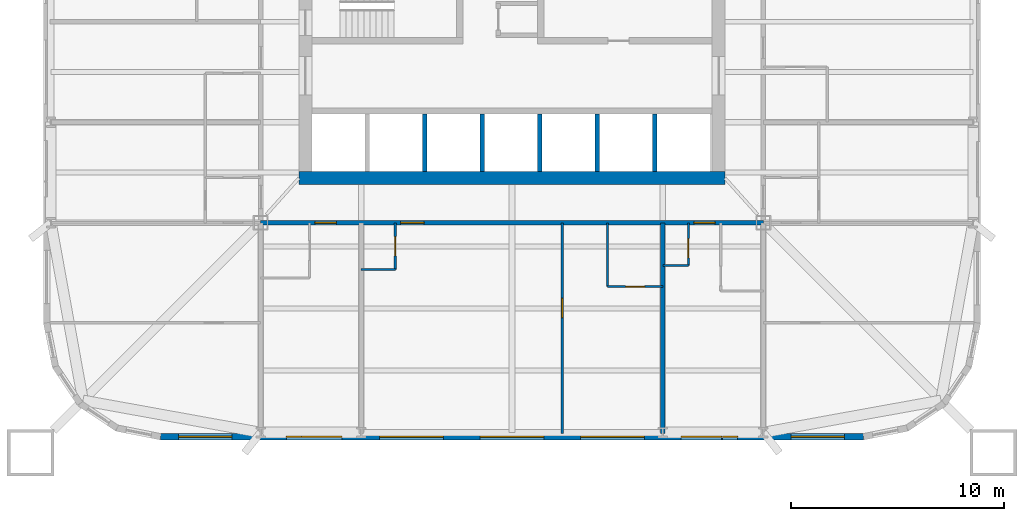
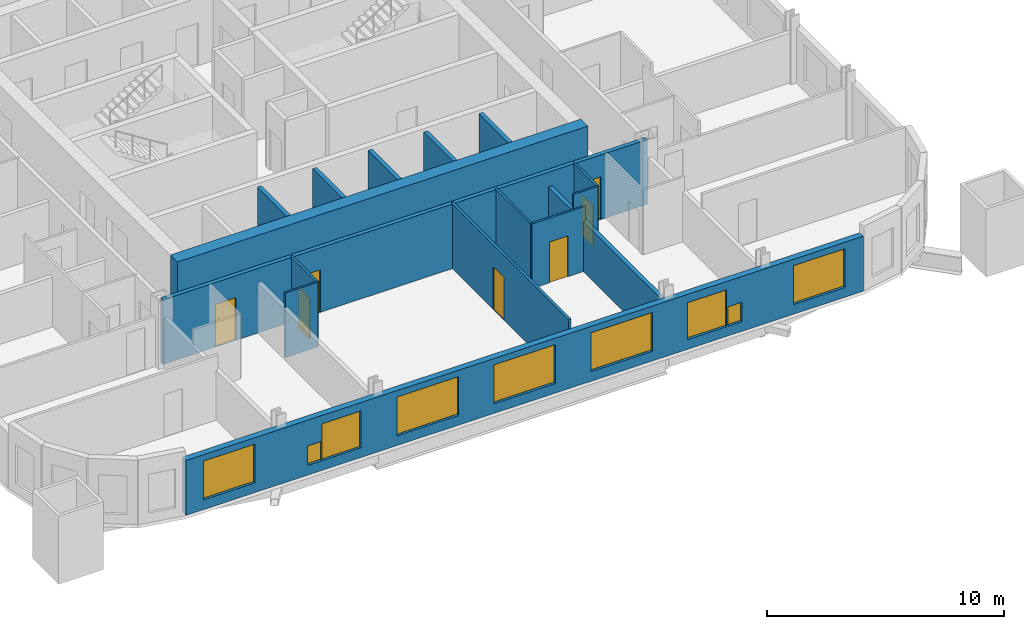
# One storey, part 3 of 10: 16 walls, 9 windows, 7 doors, 16 openings.
"""IFC4 building model written with IfcOpenShell, lengths in metres."""

from ifc_helpers import new_model, si_unit, direction, frame, frame_2d, origin, place, context, subcontext, project, spatial, rectangle, extrude, material, layer, layer_set, type_object, element, fill, save


model = new_model("IFC4")

# Units and contexts
model_context = context("Model", 3, precision=1e-05, world=origin(), true_north=direction((0.0, 1.0)))
body_context = subcontext(model_context, "Body", "Model", "MODEL_VIEW")
ifc_project = project(units=[si_unit("LENGTHUNIT", "METRE"), si_unit("AREAUNIT", "SQUARE_METRE"), si_unit("VOLUMEUNIT", "CUBIC_METRE"), si_unit("PLANEANGLEUNIT", "RADIAN"), si_unit("MASSUNIT", "GRAM", prefix="KILO")], contexts=[model_context])

# Site, building, storey
site_placement = place(None, origin())
site = spatial("IfcSite", under=ifc_project, at=site_placement, CompositionType="ELEMENT")
building_placement = place(site_placement, origin())
building = spatial("IfcBuilding", under=site, at=building_placement, Name="Turquesa Mirador Hotel Tower", CompositionType="ELEMENT")
storey_placement = place(building_placement, frame((0.0, 0.0, 39.0)))
storey = spatial("IfcBuildingStorey", under=building, at=storey_placement, Name="L09", CompositionType="ELEMENT", Elevation=39.0)

# Walls
ifc_material_1 = material(Name="Gypsum board on steel studs", Category="steel")
ifc_layer_1 = layer(ifc_material_1, 0.10009765625)
ifc_layer_set_1 = layer_set([ifc_layer_1], Name="BATHROOM WALL 100")
wall_type_1 = type_object("IfcWallType", Name="BATHROOM WALL 100", PredefinedType="PARTITIONING", material=ifc_layer_set_1)
wall_1_placement = place(storey_placement, frame((62.080078125, 31.199951171875, 0.0), z_axis=(0.0, 0.0, 1.0), x_axis=(1.0, 0.0, 0.0)))
element("IfcWall", 1, at=wall_1_placement, inside=storey, type_object=wall_type_1, Name="Partition L09 004", PredefinedType="PARTITIONING", context=body_context, shape_type="SweptSolid", body=[
    extrude(rectangle(XDim=1.199951171875, YDim=0.10009765625, at=frame_2d((0.60009765625, 0.0))), origin(), (0.0, 0.0, 1.0), 3.330078125),
])
wall_2_placement = place(storey_placement, frame((47.919921875, 31.0, 0.0), z_axis=(0.0, 0.0, 1.0), x_axis=(1.0, 0.0, 0.0)))
element("IfcWall", 2, at=wall_2_placement, inside=storey, type_object=wall_type_1, Name="Partition L09 005", PredefinedType="PARTITIONING", context=body_context, shape_type="SweptSolid", body=[
    extrude(rectangle(XDim=1.60009765625, YDim=0.10009765625, at=frame_2d((0.800048828125, 0.0))), origin(), (0.0, 0.0, 1.0), 3.330078125),
])

# Wall, opening, door
wall_3_placement = place(storey_placement, frame((59.47998046875, 30.199951171875, 0.0), z_axis=(0.0, 0.0, 1.0), x_axis=(1.0, 0.0, 0.0)))
wall_3 = element("IfcWall", 3, at=wall_3_placement, inside=storey, type_object=wall_type_1, Name="Partition L09 007", PredefinedType="PARTITIONING", context=body_context, shape_type="SweptSolid", body=[
    extrude(rectangle(XDim=2.60009765625, YDim=0.10009765625, at=frame_2d((1.300048828125, 0.0))), origin(), (0.0, 0.0, 1.0), 3.330078125),
])
opening_1_placement = place(wall_3_placement, frame((0.85009765625, 0.0, 0.0)))
opening_1 = element("IfcOpeningElement", 4, at=opening_1_placement, cuts=wall_3, Name="Opening D02", PredefinedType="OPENING", context=body_context, shape_type="SweptSolid", body=[
    extrude(rectangle(XDim=0.89990234375, YDim=2.10009765625, at=frame_2d((0.449951171875, 1.050048828125))), frame((0.0, 0.06005859375, 0.0), z_axis=(0.0, -1.0, 0.0), x_axis=(1.0, 0.0, 0.0)), (0.0, 0.0, 1.0), 0.1201171875),
])
ifc_material_2 = material(Name="Timber veneered door", Category="wood")
door_type_1 = type_object("IfcDoorType", Name="DOOR 900X2100 EN-SUITE", OperationType="SINGLE_SWING_RIGHT", PredefinedType="DOOR", material=ifc_material_2)
door_1_placement = place(opening_1_placement, origin())
door_1 = element("IfcDoor", 5, at=door_1_placement, inside=storey, type_object=door_type_1, Name="Door 0904B", OperationType="SINGLE_SWING_RIGHT", OverallHeight=2.10009765625, OverallWidth=0.89990234375, PredefinedType="DOOR", context=body_context, shape_type="SweptSolid", body=[
    extrude(rectangle(XDim=0.89990234375, YDim=2.10009765625, at=frame_2d((0.449951171875, 1.050048828125))), frame((0.0, 0.02490234375, 0.0), z_axis=(0.0, -1.0, 0.0), x_axis=(1.0, 0.0, 0.0)), (0.0, 0.0, 1.0), 0.050048828125),
])
fill(opening_1, door_1)

wall_4_placement = place(storey_placement, frame((49.52001953125, 31.0, 0.0), z_axis=(0.0, 0.0, 1.0), x_axis=(0.0, 1.0, 0.0)))
wall_4 = element("IfcWall", 6, at=wall_4_placement, inside=storey, type_object=wall_type_1, Name="Partition L09 048", PredefinedType="PARTITIONING", context=body_context, shape_type="SweptSolid", body=[
    extrude(rectangle(XDim=2.199951171875, YDim=0.10009765625, at=frame_2d((1.10009765625, 0.0))), origin(), (0.0, 0.0, 1.0), 3.330078125),
])
opening_2_placement = place(wall_4_placement, frame((0.64990234375, 0.0, 0.0)))
opening_2 = element("IfcOpeningElement", 7, at=opening_2_placement, cuts=wall_4, Name="Opening D06", PredefinedType="OPENING", context=body_context, shape_type="SweptSolid", body=[
    extrude(rectangle(XDim=0.89990234375, YDim=2.10009765625, at=frame_2d((0.449951171875, 1.050048828125))), frame((0.0, 0.06005859375, 0.0), z_axis=(0.0, -1.0, 0.0), x_axis=(1.0, 0.0, 0.0)), (0.0, 0.0, 1.0), 0.1201171875),
])
ifc_material_3 = material(Name="Laminate door", Category="wood")
door_type_2 = type_object("IfcDoorType", Name="DOOR 900X2100 WC", OperationType="SINGLE_SWING_LEFT", PredefinedType="DOOR", material=ifc_material_3)
door_2_placement = place(opening_2_placement, origin())
door_2 = element("IfcDoor", 8, at=door_2_placement, inside=storey, type_object=door_type_2, Name="Door 0904W", OperationType="SINGLE_SWING_LEFT", OverallHeight=2.10009765625, OverallWidth=0.89990234375, PredefinedType="DOOR", context=body_context, shape_type="SweptSolid", body=[
    extrude(rectangle(XDim=0.89990234375, YDim=2.10009765625, at=frame_2d((0.449951171875, 1.050048828125))), frame((0.0, 0.02490234375, 0.0), z_axis=(0.0, -1.0, 0.0), x_axis=(1.0, 0.0, 0.0)), (0.0, 0.0, 1.0), 0.050048828125),
])
fill(opening_2, door_2)

# Wall
wall_5_placement = place(storey_placement, frame((59.47998046875, 30.199951171875, 0.0), z_axis=(0.0, 0.0, 1.0), x_axis=(0.0, 1.0, 0.0)))
element("IfcWall", 9, at=wall_5_placement, inside=storey, type_object=wall_type_1, Name="Partition L09 063", PredefinedType="PARTITIONING", context=body_context, shape_type="SweptSolid", body=[
    extrude(rectangle(XDim=3.0, YDim=0.10009765625, at=frame_2d((1.5, 0.0))), origin(), (0.0, 0.0, 1.0), 3.330078125),
])

# Wall, opening, door
wall_6_placement = place(storey_placement, frame((63.280029296875, 31.199951171875, 0.0), z_axis=(0.0, 0.0, 1.0), x_axis=(0.0, 1.0, 0.0)))
wall_6 = element("IfcWall", 10, at=wall_6_placement, inside=storey, type_object=wall_type_1, Name="Partition L09 066", PredefinedType="PARTITIONING", context=body_context, shape_type="SweptSolid", body=[
    extrude(rectangle(XDim=2.0, YDim=0.10009765625, at=frame_2d((1.0, 0.0))), origin(), (0.0, 0.0, 1.0), 3.330078125),
])
opening_3_placement = place(wall_6_placement, frame((0.35009765625, 0.0, 0.0)))
opening_3 = element("IfcOpeningElement", 11, at=opening_3_placement, cuts=wall_6, Name="Opening D06", PredefinedType="OPENING", context=body_context, shape_type="SweptSolid", body=[
    extrude(rectangle(XDim=0.89990234375, YDim=2.10009765625, at=frame_2d((0.449951171875, 1.050048828125))), frame((0.0, 0.06005859375, 0.0), z_axis=(0.0, -1.0, 0.0), x_axis=(1.0, 0.0, 0.0)), (0.0, 0.0, 1.0), 0.1201171875),
])
door_3_placement = place(opening_3_placement, origin())
door_3 = element("IfcDoor", 12, at=door_3_placement, inside=storey, type_object=door_type_2, Name="Door 0905W", OperationType="SINGLE_SWING_LEFT", OverallHeight=2.10009765625, OverallWidth=0.89990234375, PredefinedType="DOOR", context=body_context, shape_type="SweptSolid", body=[
    extrude(rectangle(XDim=0.89990234375, YDim=2.10009765625, at=frame_2d((0.449951171875, 1.050048828125))), frame((0.0, 0.02490234375, 0.0), z_axis=(0.0, -1.0, 0.0), x_axis=(1.0, 0.0, 0.0)), (0.0, 0.0, 1.0), 0.050048828125),
])
fill(opening_3, door_3)

# Wall
ifc_material_4 = material(Name="Concrete C50/60", Category="concrete")
ifc_layer_2 = layer(ifc_material_4, 0.60009765625)
ifc_layer_set_2 = layer_set([ifc_layer_2], Name="CORE WALL 600")
wall_type_2 = type_object("IfcWallType", Name="CORE WALL 600", PredefinedType="SHEAR", material=ifc_layer_set_2)
wall_7_placement = place(storey_placement, frame((45.0, 35.300048828125, 0.0), z_axis=(0.0, 0.0, 1.0), x_axis=(1.0, 0.0, 0.0)))
element("IfcWall", 13, at=wall_7_placement, inside=storey, type_object=wall_type_2, Name="Core wall S", PredefinedType="SHEAR", context=body_context, shape_type="SweptSolid", body=[
    extrude(rectangle(XDim=20.0, YDim=0.60009765625, at=frame_2d((10.0, 0.0))), origin(), (0.0, 0.0, 1.0), 3.5),
])

# Wall, openings, doors
ifc_material_5 = material(Name="Fire-rated gypsum board on steel studs", Category="steel")
ifc_layer_3 = layer(ifc_material_5, 0.199951171875)
ifc_layer_set_3 = layer_set([ifc_layer_3], Name="CORRIDOR WALL 200")
wall_type_3 = type_object("IfcWallType", Name="CORRIDOR WALL 200", PredefinedType="PARTITIONING", material=ifc_layer_set_3)
wall_8_placement = place(storey_placement, frame((43.199951171875, 33.199951171875, 0.0), z_axis=(0.0, 0.0, 1.0), x_axis=(1.0, 0.0, 0.0)))
wall_8 = element("IfcWall", 14, at=wall_8_placement, inside=storey, type_object=wall_type_3, Name="Partition L09 001", PredefinedType="PARTITIONING", context=body_context, shape_type="SweptSolid", body=[
    extrude(rectangle(XDim=23.60009765625, YDim=0.199951171875, at=frame_2d((11.800048828125, 0.0))), origin(), (0.0, 0.0, 1.0), 3.330078125),
])
opening_4_placement = place(wall_8_placement, frame((2.550048828125, 0.0, 0.0)))
opening_4 = element("IfcOpeningElement", 15, at=opening_4_placement, cuts=wall_8, Name="Opening D01", PredefinedType="OPENING", context=body_context, shape_type="SweptSolid", body=[
    extrude(rectangle(XDim=1.0, YDim=2.199951171875, at=frame_2d((0.5, 1.10009765625))), frame((0.0, 0.10986328125, 0.0), z_axis=(0.0, -1.0, 0.0), x_axis=(1.0, 0.0, 0.0)), (0.0, 0.0, 1.0), 0.219970703125),
])
opening_5_placement = place(wall_8_placement, frame((6.570068359375, 0.0, 0.0)))
opening_5 = element("IfcOpeningElement", 16, at=opening_5_placement, cuts=wall_8, Name="Opening D15", PredefinedType="OPENING", context=body_context, shape_type="SweptSolid", body=[
    extrude(rectangle(XDim=1.10009765625, YDim=2.199951171875, at=frame_2d((0.550048828125, 1.10009765625))), frame((0.0, 0.10986328125, 0.0), z_axis=(0.0, -1.0, 0.0), x_axis=(1.0, 0.0, 0.0)), (0.0, 0.0, 1.0), 0.219970703125),
])
opening_6_placement = place(wall_8_placement, frame((20.340087890625, 0.0, 0.0)))
opening_6 = element("IfcOpeningElement", 17, at=opening_6_placement, cuts=wall_8, Name="Opening D01", PredefinedType="OPENING", context=body_context, shape_type="SweptSolid", body=[
    extrude(rectangle(XDim=1.0, YDim=2.199951171875, at=frame_2d((0.5, 1.10009765625))), frame((0.0, 0.10986328125, 0.0), z_axis=(0.0, -1.0, 0.0), x_axis=(1.0, 0.0, 0.0)), (0.0, 0.0, 1.0), 0.219970703125),
])
ifc_material_6 = material(Name="Timber veneered fire door", Category="wood")
door_type_3 = type_object("IfcDoorType", Name="DOOR 1000X2200 GUEST ENTRY", OperationType="SINGLE_SWING_LEFT", PredefinedType="DOOR", material=ifc_material_6)
door_4_placement = place(opening_4_placement, origin())
door_4 = element("IfcDoor", 18, at=door_4_placement, inside=storey, type_object=door_type_3, Name="Door 0903", OperationType="SINGLE_SWING_LEFT", OverallHeight=2.199951171875, OverallWidth=1.0, PredefinedType="DOOR", context=body_context, shape_type="SweptSolid", body=[
    extrude(rectangle(XDim=1.0, YDim=2.199951171875, at=frame_2d((0.5, 1.10009765625))), frame((0.0, 0.02490234375, 0.0), z_axis=(0.0, -1.0, 0.0), x_axis=(1.0, 0.0, 0.0)), (0.0, 0.0, 1.0), 0.050048828125),
])
fill(opening_4, door_4)
door_5_placement = place(opening_6_placement, origin())
door_5 = element("IfcDoor", 19, at=door_5_placement, inside=storey, type_object=door_type_3, Name="Door 0905", OperationType="SINGLE_SWING_LEFT", OverallHeight=2.199951171875, OverallWidth=1.0, PredefinedType="DOOR", context=body_context, shape_type="SweptSolid", body=[
    extrude(rectangle(XDim=1.0, YDim=2.199951171875, at=frame_2d((0.5, 1.10009765625))), frame((0.0, 0.02490234375, 0.0), z_axis=(0.0, -1.0, 0.0), x_axis=(1.0, 0.0, 0.0)), (0.0, 0.0, 1.0), 0.050048828125),
])
fill(opening_6, door_5)
ifc_material_7 = material(Name="Timber veneered fire door", Category="wood")
door_type_4 = type_object("IfcDoorType", Name="DOOR 1100X2200 SUITE ENTRY", OperationType="SINGLE_SWING_LEFT", PredefinedType="DOOR", material=ifc_material_7)
door_6_placement = place(opening_5_placement, origin())
door_6 = element("IfcDoor", 20, at=door_6_placement, inside=storey, type_object=door_type_4, Name="Door 0904", OperationType="SINGLE_SWING_LEFT", OverallHeight=2.199951171875, OverallWidth=1.10009765625, PredefinedType="DOOR", context=body_context, shape_type="SweptSolid", body=[
    extrude(rectangle(XDim=1.10009765625, YDim=2.199951171875, at=frame_2d((0.550048828125, 1.10009765625))), frame((0.0, 0.02490234375, 0.0), z_axis=(0.0, -1.0, 0.0), x_axis=(1.0, 0.0, 0.0)), (0.0, 0.0, 1.0), 0.050048828125),
])
fill(opening_5, door_6)

# Wall, openings, windows
ifc_material_8 = material(Name="Limestone cladding on concrete block", Category="masonry")
ifc_layer_4 = layer(ifc_material_8, 0.300048828125)
ifc_layer_set_4 = layer_set([ifc_layer_4], Name="FACADE WALL 300 STONE SCREEN")
wall_type_4 = type_object("IfcWallType", Name="FACADE WALL 300 STONE SCREEN", PredefinedType="SOLIDWALL", material=ifc_layer_set_4)
wall_9_placement = place(storey_placement, frame((38.5, 23.14990234375, 0.0), z_axis=(0.0, 0.0, 1.0), x_axis=(1.0, 0.0, 0.0)))
wall_9 = element("IfcWall", 21, at=wall_9_placement, inside=storey, type_object=wall_type_4, Name="Facade wall L09 19", PredefinedType="SOLIDWALL", context=body_context, shape_type="SweptSolid", body=[
    extrude(rectangle(XDim=33.0, YDim=0.300048828125, at=frame_2d((16.5, 0.0))), origin(), (0.0, 0.0, 1.0), 2.830078125),
])
opening_7_placement = place(wall_9_placement, frame((0.85009765625, 0.0, 0.5)))
opening_7 = element("IfcOpeningElement", 22, at=opening_7_placement, cuts=wall_9, Name="Opening WN52", PredefinedType="OPENING", context=body_context, shape_type="SweptSolid", body=[
    extrude(rectangle(XDim=2.5, YDim=2.0, at=frame_2d((1.25, 1.0))), frame((0.0, 0.159912109375, 0.0), z_axis=(0.0, -1.0, 0.0), x_axis=(1.0, 0.0, 0.0)), (0.0, 0.0, 1.0), 0.320068359375),
])
opening_8_placement = place(wall_9_placement, frame((6.610107421875, 0.0, 0.5)))
opening_8 = element("IfcOpeningElement", 23, at=opening_8_placement, cuts=wall_9, Name="Opening WN48", PredefinedType="OPENING", context=body_context, shape_type="SweptSolid", body=[
    extrude(rectangle(XDim=1.89990234375, YDim=1.89990234375, at=frame_2d((0.949951171875, 0.949951171875))), frame((0.0, 0.159912109375, 0.0), z_axis=(0.0, -1.0, 0.0), x_axis=(1.0, 0.0, 0.0)), (0.0, 0.0, 1.0), 0.320068359375),
])
opening_9_placement = place(wall_9_placement, frame((10.280029296875, 0.0, 0.5)))
opening_9 = element("IfcOpeningElement", 24, at=opening_9_placement, cuts=wall_9, Name="Opening WN1", PredefinedType="OPENING", context=body_context, shape_type="SweptSolid", body=[
    extrude(rectangle(XDim=3.0, YDim=2.0, at=frame_2d((1.5, 1.0))), frame((0.0, 0.159912109375, 0.0), z_axis=(0.0, -1.0, 0.0), x_axis=(1.0, 0.0, 0.0)), (0.0, 0.0, 1.0), 0.320068359375),
])
opening_10_placement = place(wall_9_placement, frame((15.0, 0.0, 0.5)))
opening_10 = element("IfcOpeningElement", 25, at=opening_10_placement, cuts=wall_9, Name="Opening WN1", PredefinedType="OPENING", context=body_context, shape_type="SweptSolid", body=[
    extrude(rectangle(XDim=3.0, YDim=2.0, at=frame_2d((1.5, 1.0))), frame((0.0, 0.159912109375, 0.0), z_axis=(0.0, -1.0, 0.0), x_axis=(1.0, 0.0, 0.0)), (0.0, 0.0, 1.0), 0.320068359375),
])
opening_11_placement = place(wall_9_placement, frame((19.719970703125, 0.0, 0.5)))
opening_11 = element("IfcOpeningElement", 26, at=opening_11_placement, cuts=wall_9, Name="Opening WN1", PredefinedType="OPENING", context=body_context, shape_type="SweptSolid", body=[
    extrude(rectangle(XDim=3.0, YDim=2.0, at=frame_2d((1.5, 1.0))), frame((0.0, 0.159912109375, 0.0), z_axis=(0.0, -1.0, 0.0), x_axis=(1.0, 0.0, 0.0)), (0.0, 0.0, 1.0), 0.320068359375),
])
opening_12_placement = place(wall_9_placement, frame((24.43994140625, 0.0, 0.5)))
opening_12 = element("IfcOpeningElement", 27, at=opening_12_placement, cuts=wall_9, Name="Opening WN48", PredefinedType="OPENING", context=body_context, shape_type="SweptSolid", body=[
    extrude(rectangle(XDim=1.89990234375, YDim=1.89990234375, at=frame_2d((0.949951171875, 0.949951171875))), frame((0.0, 0.159912109375, 0.0), z_axis=(0.0, -1.0, 0.0), x_axis=(1.0, 0.0, 0.0)), (0.0, 0.0, 1.0), 0.320068359375),
])
opening_13_placement = place(wall_9_placement, frame((29.60009765625, 0.0, 0.5)))
opening_13 = element("IfcOpeningElement", 28, at=opening_13_placement, cuts=wall_9, Name="Opening WN52", PredefinedType="OPENING", context=body_context, shape_type="SweptSolid", body=[
    extrude(rectangle(XDim=2.5, YDim=2.0, at=frame_2d((1.25, 1.0))), frame((0.0, 0.159912109375, 0.0), z_axis=(0.0, -1.0, 0.0), x_axis=(1.0, 0.0, 0.0)), (0.0, 0.0, 1.0), 0.320068359375),
])
opening_14_placement = place(wall_9_placement, frame((5.909912109375, 0.0, 0.5)))
opening_14 = element("IfcOpeningElement", 29, at=opening_14_placement, cuts=wall_9, Name="Opening WN32", PredefinedType="OPENING", context=body_context, shape_type="SweptSolid", body=[
    extrude(rectangle(XDim=0.699951171875, YDim=1.0, at=frame_2d((0.35009765625, 0.5))), frame((0.0, 0.159912109375, 0.0), z_axis=(0.0, -1.0, 0.0), x_axis=(1.0, 0.0, 0.0)), (0.0, 0.0, 1.0), 0.320068359375),
])
opening_15_placement = place(wall_9_placement, frame((26.389892578125, 0.0, 0.5)))
opening_15 = element("IfcOpeningElement", 30, at=opening_15_placement, cuts=wall_9, Name="Opening WN32", PredefinedType="OPENING", context=body_context, shape_type="SweptSolid", body=[
    extrude(rectangle(XDim=0.699951171875, YDim=1.0, at=frame_2d((0.35009765625, 0.5))), frame((0.0, 0.159912109375, 0.0), z_axis=(0.0, -1.0, 0.0), x_axis=(1.0, 0.0, 0.0)), (0.0, 0.0, 1.0), 0.320068359375),
])
ifc_material_9 = material(Name="Ceramic-fritted laminated glass", Category="glass")
window_type_1 = type_object("IfcWindowType", Name="FRITTED WINDOW 1900X1900", PartitioningType="DOUBLE_PANEL_HORIZONTAL", PredefinedType="WINDOW", material=ifc_material_9)
window_1_placement = place(opening_8_placement, origin())
window_1 = element("IfcWindow", 31, at=window_1_placement, inside=storey, type_object=window_type_1, Name="Window L09", OverallHeight=1.89990234375, OverallWidth=1.89990234375, PartitioningType="SINGLE_PANEL", PredefinedType="WINDOW", context=body_context, shape_type="SweptSolid", body=[
    extrude(rectangle(XDim=1.89990234375, YDim=1.89990234375, at=frame_2d((0.949951171875, 0.949951171875))), frame((0.0, 0.030029296875, 0.0), z_axis=(0.0, -1.0, 0.0), x_axis=(1.0, 0.0, 0.0)), (0.0, 0.0, 1.0), 0.06005859375),
])
fill(opening_8, window_1)
window_2_placement = place(opening_12_placement, origin())
window_2 = element("IfcWindow", 32, at=window_2_placement, inside=storey, type_object=window_type_1, Name="Window L09", OverallHeight=1.89990234375, OverallWidth=1.89990234375, PartitioningType="SINGLE_PANEL", PredefinedType="WINDOW", context=body_context, shape_type="SweptSolid", body=[
    extrude(rectangle(XDim=1.89990234375, YDim=1.89990234375, at=frame_2d((0.949951171875, 0.949951171875))), frame((0.0, 0.030029296875, 0.0), z_axis=(0.0, -1.0, 0.0), x_axis=(1.0, 0.0, 0.0)), (0.0, 0.0, 1.0), 0.06005859375),
])
fill(opening_12, window_2)
ifc_material_10 = material(Name="Ceramic-fritted laminated glass", Category="glass")
window_type_2 = type_object("IfcWindowType", Name="FRITTED WINDOW 2500X2000", PartitioningType="DOUBLE_PANEL_HORIZONTAL", PredefinedType="WINDOW", material=ifc_material_10)
window_3_placement = place(opening_7_placement, origin())
window_3 = element("IfcWindow", 33, at=window_3_placement, inside=storey, type_object=window_type_2, Name="Window L09", OverallHeight=2.0, OverallWidth=2.5, PartitioningType="SINGLE_PANEL", PredefinedType="WINDOW", context=body_context, shape_type="SweptSolid", body=[
    extrude(rectangle(XDim=2.5, YDim=2.0, at=frame_2d((1.25, 1.0))), frame((0.0, 0.030029296875, 0.0), z_axis=(0.0, -1.0, 0.0), x_axis=(1.0, 0.0, 0.0)), (0.0, 0.0, 1.0), 0.06005859375),
])
fill(opening_7, window_3)
window_4_placement = place(opening_13_placement, origin())
window_4 = element("IfcWindow", 34, at=window_4_placement, inside=storey, type_object=window_type_2, Name="Window L09", OverallHeight=2.0, OverallWidth=2.5, PartitioningType="SINGLE_PANEL", PredefinedType="WINDOW", context=body_context, shape_type="SweptSolid", body=[
    extrude(rectangle(XDim=2.5, YDim=2.0, at=frame_2d((1.25, 1.0))), frame((0.0, 0.030029296875, 0.0), z_axis=(0.0, -1.0, 0.0), x_axis=(1.0, 0.0, 0.0)), (0.0, 0.0, 1.0), 0.06005859375),
])
fill(opening_13, window_4)
ifc_material_11 = material(Name="Ceramic-fritted laminated glass", Category="glass")
window_type_3 = type_object("IfcWindowType", Name="FRITTED WINDOW 3000X2000", PartitioningType="DOUBLE_PANEL_HORIZONTAL", PredefinedType="WINDOW", material=ifc_material_11)
window_5_placement = place(opening_9_placement, origin())
window_5 = element("IfcWindow", 35, at=window_5_placement, inside=storey, type_object=window_type_3, Name="Window L09", OverallHeight=2.0, OverallWidth=3.0, PartitioningType="SINGLE_PANEL", PredefinedType="WINDOW", context=body_context, shape_type="SweptSolid", body=[
    extrude(rectangle(XDim=3.0, YDim=2.0, at=frame_2d((1.5, 1.0))), frame((0.0, 0.030029296875, 0.0), z_axis=(0.0, -1.0, 0.0), x_axis=(1.0, 0.0, 0.0)), (0.0, 0.0, 1.0), 0.06005859375),
])
fill(opening_9, window_5)
window_6_placement = place(opening_10_placement, origin())
window_6 = element("IfcWindow", 36, at=window_6_placement, inside=storey, type_object=window_type_3, Name="Window L09", OverallHeight=2.0, OverallWidth=3.0, PartitioningType="SINGLE_PANEL", PredefinedType="WINDOW", context=body_context, shape_type="SweptSolid", body=[
    extrude(rectangle(XDim=3.0, YDim=2.0, at=frame_2d((1.5, 1.0))), frame((0.0, 0.030029296875, 0.0), z_axis=(0.0, -1.0, 0.0), x_axis=(1.0, 0.0, 0.0)), (0.0, 0.0, 1.0), 0.06005859375),
])
fill(opening_10, window_6)
window_7_placement = place(opening_11_placement, origin())
window_7 = element("IfcWindow", 37, at=window_7_placement, inside=storey, type_object=window_type_3, Name="Window L09", OverallHeight=2.0, OverallWidth=3.0, PartitioningType="SINGLE_PANEL", PredefinedType="WINDOW", context=body_context, shape_type="SweptSolid", body=[
    extrude(rectangle(XDim=3.0, YDim=2.0, at=frame_2d((1.5, 1.0))), frame((0.0, 0.030029296875, 0.0), z_axis=(0.0, -1.0, 0.0), x_axis=(1.0, 0.0, 0.0)), (0.0, 0.0, 1.0), 0.06005859375),
])
fill(opening_11, window_7)
ifc_material_12 = material(Name="Ceramic-fritted laminated glass", Category="glass")
window_type_4 = type_object("IfcWindowType", Name="FRITTED WINDOW 700X1000", PartitioningType="DOUBLE_PANEL_HORIZONTAL", PredefinedType="WINDOW", material=ifc_material_12)
window_8_placement = place(opening_14_placement, origin())
window_8 = element("IfcWindow", 38, at=window_8_placement, inside=storey, type_object=window_type_4, Name="Window L09", OverallHeight=1.0, OverallWidth=0.699951171875, PartitioningType="SINGLE_PANEL", PredefinedType="WINDOW", context=body_context, shape_type="SweptSolid", body=[
    extrude(rectangle(XDim=0.699951171875, YDim=1.0, at=frame_2d((0.35009765625, 0.5))), frame((0.0, 0.030029296875, 0.0), z_axis=(0.0, -1.0, 0.0), x_axis=(1.0, 0.0, 0.0)), (0.0, 0.0, 1.0), 0.06005859375),
])
fill(opening_14, window_8)
window_9_placement = place(opening_15_placement, origin())
window_9 = element("IfcWindow", 39, at=window_9_placement, inside=storey, type_object=window_type_4, Name="Window L09", OverallHeight=1.0, OverallWidth=0.699951171875, PartitioningType="SINGLE_PANEL", PredefinedType="WINDOW", context=body_context, shape_type="SweptSolid", body=[
    extrude(rectangle(XDim=0.699951171875, YDim=1.0, at=frame_2d((0.35009765625, 0.5))), frame((0.0, 0.030029296875, 0.0), z_axis=(0.0, -1.0, 0.0), x_axis=(1.0, 0.0, 0.0)), (0.0, 0.0, 1.0), 0.06005859375),
])
fill(opening_15, window_9)

# Walls
ifc_material_13 = material(Name="Fire-rated gypsum shaft wall on steel studs", Category="steel")
ifc_layer_5 = layer(ifc_material_13, 0.199951171875)
ifc_layer_set_5 = layer_set([ifc_layer_5], Name="LIFT SHAFT DIVIDER 200")
wall_type_5 = type_object("IfcWallType", Name="LIFT SHAFT DIVIDER 200", PredefinedType="PARTITIONING", material=ifc_layer_set_5)
for number, where, z_axis, x_axis, name in (
    (40, (50.89990234375, 35.60009765625, 0.0), (0.0, 0.0, 1.0), (0.0, 1.0, 0.0), "Lift shaft divider"),
    (41, (53.60009765625, 35.60009765625, 0.0), (0.0, 0.0, 1.0), (0.0, 1.0, 0.0), "Lift shaft divider"),
    (42, (56.300048828125, 35.60009765625, 0.0), (0.0, 0.0, 1.0), (0.0, 1.0, 0.0), "Lift shaft divider"),
    (43, (59.0, 35.60009765625, 0.0), (0.0, 0.0, 1.0), (0.0, 1.0, 0.0), "Lift shaft divider"),
    (44, (61.699951171875, 35.60009765625, 0.0), (0.0, 0.0, 1.0), (0.0, 1.0, 0.0), "Lift shaft divider"),
):
    element("IfcWall", number, at=place(storey_placement, frame(where, z_axis=z_axis, x_axis=x_axis)), inside=storey, type_object=wall_type_5, Name=name, PredefinedType="PARTITIONING", context=body_context, shape_type="SweptSolid", body=[
        extrude(rectangle(XDim=2.699951171875, YDim=0.199951171875, at=frame_2d((1.35009765625, 0.0))), origin(), (0.0, 0.0, 1.0), 3.330078125),
    ])
ifc_material_14 = material(Name="Fire-rated gypsum board on steel studs", Category="steel")
ifc_layer_6 = layer(ifc_material_14, 0.199951171875)
ifc_layer_set_6 = layer_set([ifc_layer_6], Name="PARTY WALL 200")
wall_type_6 = type_object("IfcWallType", Name="PARTY WALL 200", PredefinedType="PARTITIONING", material=ifc_layer_set_6)
wall_10_placement = place(storey_placement, frame((62.080078125, 23.300048828125, 0.0), z_axis=(0.0, 0.0, 1.0), x_axis=(0.0, 1.0, 0.0)))
element("IfcWall", 45, at=wall_10_placement, inside=storey, type_object=wall_type_6, Name="Partition L09 064", PredefinedType="PARTITIONING", context=body_context, shape_type="SweptSolid", body=[
    extrude(rectangle(XDim=9.89990234375, YDim=0.199951171875, at=frame_2d((4.949951171875, 0.0))), origin(), (0.0, 0.0, 1.0), 2.572998046875),
])

# Wall, opening, door
ifc_material_15 = material(Name="Acoustic gypsum board on steel studs", Category="steel")
ifc_layer_7 = layer(ifc_material_15, 0.125)
ifc_layer_set_7 = layer_set([ifc_layer_7], Name="SUITE PARTITION 125")
wall_type_7 = type_object("IfcWallType", Name="SUITE PARTITION 125", PredefinedType="PARTITIONING", material=ifc_layer_set_7)
wall_11_placement = place(storey_placement, frame((57.360107421875, 23.300048828125, 0.0), z_axis=(0.0, 0.0, 1.0), x_axis=(0.0, 1.0, 0.0)))
wall_11 = element("IfcWall", 46, at=wall_11_placement, inside=storey, type_object=wall_type_7, Name="Partition L09 062", PredefinedType="PARTITIONING", context=body_context, shape_type="SweptSolid", body=[
    extrude(rectangle(XDim=9.89990234375, YDim=0.125, at=frame_2d((4.949951171875, 0.0))), origin(), (0.0, 0.0, 1.0), 3.330078125),
])
opening_16_placement = place(wall_11_placement, frame((5.449951171875, 0.0, 0.0)))
opening_16 = element("IfcOpeningElement", 47, at=opening_16_placement, cuts=wall_11, Name="Opening D17", PredefinedType="OPENING", context=body_context, shape_type="SweptSolid", body=[
    extrude(rectangle(XDim=0.89990234375, YDim=2.199951171875, at=frame_2d((0.449951171875, 1.10009765625))), frame((0.0, 0.072509765625, 0.0), z_axis=(0.0, -1.0, 0.0), x_axis=(1.0, 0.0, 0.0)), (0.0, 0.0, 1.0), 0.14501953125),
])
ifc_material_16 = material(Name="Timber veneered door", Category="wood")
door_type_5 = type_object("IfcDoorType", Name="DOOR 900X2200 SUITE INTERNAL", OperationType="SINGLE_SWING_LEFT", PredefinedType="DOOR", material=ifc_material_16)
door_7_placement = place(opening_16_placement, origin())
door_7 = element("IfcDoor", 48, at=door_7_placement, inside=storey, type_object=door_type_5, Name="Door 0904R", OperationType="SINGLE_SWING_LEFT", OverallHeight=2.199951171875, OverallWidth=0.89990234375, PredefinedType="DOOR", context=body_context, shape_type="SweptSolid", body=[
    extrude(rectangle(XDim=0.89990234375, YDim=2.199951171875, at=frame_2d((0.449951171875, 1.10009765625))), frame((0.0, 0.02490234375, 0.0), z_axis=(0.0, -1.0, 0.0), x_axis=(1.0, 0.0, 0.0)), (0.0, 0.0, 1.0), 0.050048828125),
])
fill(opening_16, door_7)

save(model, "model.ifc")
